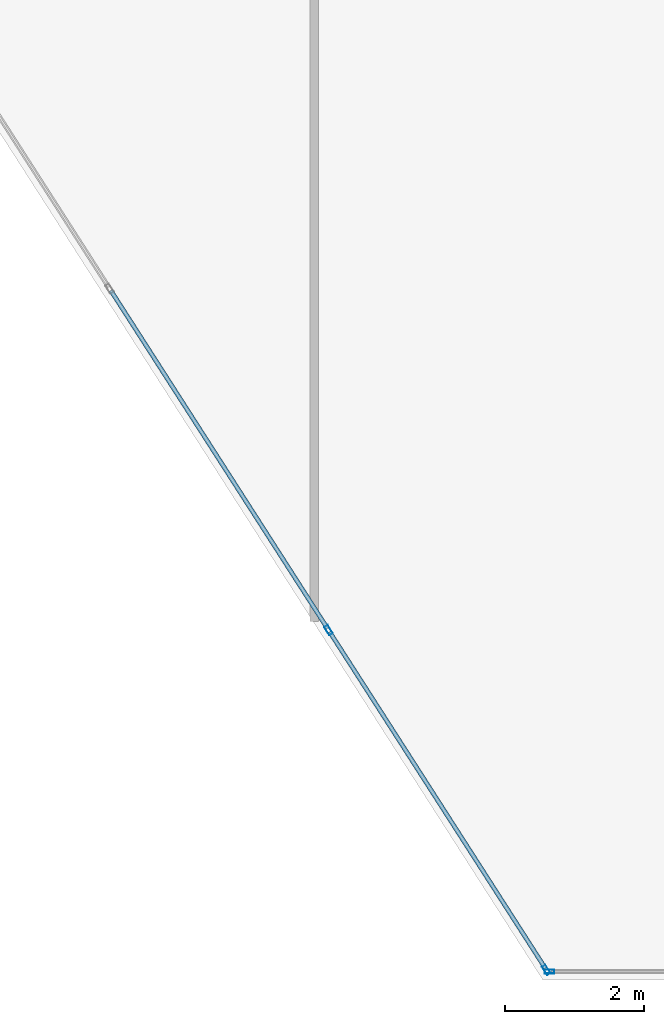
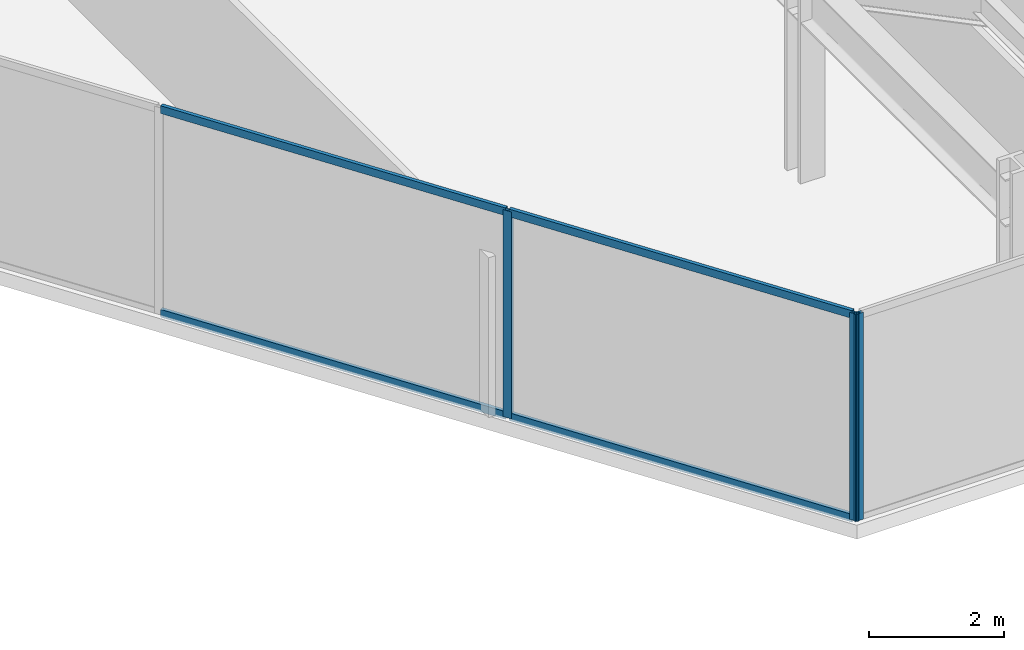
# One storey, part 15 of 26: 7 members, 2 elements without a shape of their own.
"""IFC4 building model written with IfcOpenShell, lengths in metres."""

import ifcopenshell
import ifcopenshell.guid

model = None  # the IFC model being written
_history = None  # IfcOwnerHistory: only IFC2X3 demands one
_inside = {}  # id of a spatial element -> (the spatial element, [elements in it])
_under = {}  # id of a project, library or spatial element -> (it, [spatial elements below it])
_declared = {}  # id of a project -> (the project, [libraries it declares])
_typed = {}  # id of a type object -> (the type object, [elements of that type])
_made_of = {}  # id of a material, layer set ... -> (it, [elements and type objects made of it])


def new_model(schema):
    """Start an empty IFC model of exactly this schema.

    Asked for "IFC4X3", IfcOpenShell would pick the latest addendum, in which some entities
    have other attributes; the version numbers below select the first issue.
    IFC2X3 requires an IfcOwnerHistory on every rooted entity: one is made here for all.
    """
    global model, _history
    if schema == "IFC4X3":
        model = ifcopenshell.file(schema_version=(4, 3, 0, 0))
    else:
        model = ifcopenshell.file(schema=schema)
    _inside.clear()
    _under.clear()
    _declared.clear()
    _typed.clear()
    _made_of.clear()
    _history = None
    if model.schema == "IFC2X3":
        org = make("IfcOrganization", Name="unknown")
        user = make(
            "IfcPersonAndOrganization",
            ThePerson=make("IfcPerson", FamilyName="unknown"),
            TheOrganization=org,
        )
        app = make(
            "IfcApplication",
            ApplicationDeveloper=org,
            Version="unknown",
            ApplicationFullName="unknown",
            ApplicationIdentifier="unknown",
        )
        _history = make(
            "IfcOwnerHistory",
            OwningUser=user,
            OwningApplication=app,
            ChangeAction="ADDED",
            CreationDate=0,
        )
    return model


def make(cls, **values):
    """One entity of the class cls with the attributes given. An attribute that is None is left unset."""
    return model.create_entity(
        cls, **{name: value for name, value in values.items() if value is not None}
    )


def rooted(cls, **values):
    """An entity with a GlobalId (a new one), such as an element, a storey or a relation."""
    return make(cls, GlobalId=ifcopenshell.guid.new(), OwnerHistory=_history, **values)


def si_unit(unit_type, name, prefix=None):
    """IfcSIUnit, for example si_unit("LENGTHUNIT", "METRE", prefix="MILLI")."""
    return make("IfcSIUnit", UnitType=unit_type, Prefix=prefix, Name=name)


def assignment(units):
    """IfcUnitAssignment: the units of a project."""
    return None if units is None else make("IfcUnitAssignment", Units=units)


def point(xyz):
    """IfcCartesianPoint."""
    return None if xyz is None else make("IfcCartesianPoint", Coordinates=xyz)


def direction(xyz):
    """IfcDirection."""
    return None if xyz is None else make("IfcDirection", DirectionRatios=xyz)


def frame(location, z_axis=None, x_axis=None):
    """IfcAxis2Placement3D, a coordinate frame: its origin and axes. An axis left out is left unset."""
    return make(
        "IfcAxis2Placement3D",
        Location=point(location),
        Axis=direction(z_axis),
        RefDirection=direction(x_axis),
    )


def frame_2d(location, x_axis=None):
    """IfcAxis2Placement2D, a coordinate frame in the plane: its origin and x axis."""
    return make(
        "IfcAxis2Placement2D", Location=point(location), RefDirection=direction(x_axis)
    )


def origin():
    """The frame at (0, 0, 0) with its axes left unset."""
    return frame((0.0, 0.0, 0.0))


def origin_2d():
    """The frame at (0, 0) in the plane with its x axis left unset."""
    return frame_2d((0.0, 0.0))


def place(relative_to, where):
    """IfcLocalPlacement: puts the frame where relative to a parent placement (None: the world)."""
    return make(
        "IfcLocalPlacement", PlacementRelTo=relative_to, RelativePlacement=where
    )


def context(
    kind, dimensions, precision=None, world=None, true_north=None, identifier=None
):
    """IfcGeometricRepresentationContext, for example the 3D "Model" context."""
    return make(
        "IfcGeometricRepresentationContext",
        ContextIdentifier=identifier,
        ContextType=kind,
        CoordinateSpaceDimension=dimensions,
        Precision=precision,
        WorldCoordinateSystem=world,
        TrueNorth=true_north,
    )


def subcontext(parent, identifier, kind, view, scale=None):
    """IfcGeometricRepresentationSubContext, for example "Body" below "Model"."""
    return make(
        "IfcGeometricRepresentationSubContext",
        ContextIdentifier=identifier,
        ContextType=kind,
        ParentContext=parent,
        TargetScale=scale,
        TargetView=view,
    )


def project(units=None, contexts=None):
    """IfcProject with its units and contexts."""
    return rooted(
        "IfcProject",
        Name="project",
        RepresentationContexts=contexts,
        UnitsInContext=assignment(units),
    )


def spatial(cls, under=None, at=None, **own):
    """A site, building, storey or space (cls), placed at a placement, below another one or the project."""
    s = rooted(cls, ObjectPlacement=at, **own)
    if under is not None:
        _under.setdefault(under.id(), (under, []))[1].append(s)
    return s


def profile(cls, at=None, kind="AREA", **sizes):
    """A parametric profile (cls). Its sizes go by their IFC names, for example OverallWidth=200.0."""
    return make(cls, ProfileType=kind, Position=at, **sizes)


def hollow_rectangle(**sizes):
    """IfcRectangleHollowProfileDef."""
    return profile("IfcRectangleHollowProfileDef", **sizes)


def extrude(swept, where, along, depth):
    """IfcExtrudedAreaSolid: the profile swept, set in the frame where, extruded along a direction by depth."""
    return make(
        "IfcExtrudedAreaSolid",
        SweptArea=swept,
        Position=where,
        ExtrudedDirection=direction(along),
        Depth=depth,
    )


def shape(context_of_items, identifier, shape_type, items):
    """IfcShapeRepresentation: the items that make up one representation, for example the "Body"."""
    return make(
        "IfcShapeRepresentation",
        ContextOfItems=context_of_items,
        RepresentationIdentifier=identifier,
        RepresentationType=shape_type,
        Items=items,
    )


def material(Name=None, Category=None):
    """IfcMaterial."""
    return make("IfcMaterial", Name=Name, Category=Category)


def layer(
    of_material, thickness, ventilated=None, Name=None, Category=None, Priority=None
):
    """IfcMaterialLayer: one layer of a wall or slab, of a material (None: an air gap)."""
    return make(
        "IfcMaterialLayer",
        Material=of_material,
        LayerThickness=thickness,
        IsVentilated=ventilated,
        Name=Name,
        Category=Category,
        Priority=Priority,
    )


def layer_set(layers, Name=None):
    """IfcMaterialLayerSet."""
    return make("IfcMaterialLayerSet", MaterialLayers=layers, LayerSetName=Name)


def material_profile(
    of_material, cross_section, Name=None, Category=None, Priority=None
):
    """IfcMaterialProfile: a cross section and its material."""
    return make(
        "IfcMaterialProfile",
        Name=Name,
        Material=of_material,
        Profile=cross_section,
        Priority=Priority,
        Category=Category,
    )


def profile_set(profiles, Name=None, composite=None):
    """IfcMaterialProfileSet."""
    return make(
        "IfcMaterialProfileSet",
        Name=Name,
        MaterialProfiles=profiles,
        CompositeProfile=composite,
    )


def made_of(thing, what):
    """Note that an element or type object is made of a material, layer set ...; save() writes the relation."""
    if what is not None:
        _made_of.setdefault(what.id(), (what, []))[1].append(thing)
    return thing


def type_object(cls, material=None, **own):
    """A type object (cls), such as IfcWallType, which elements share."""
    return made_of(rooted(cls, **own), material)


def element(
    cls,
    number,
    at=None,
    inside=None,
    cuts=None,
    type_object=None,
    material=None,
    context=None,
    identifier="Body",
    shape_type=None,
    held_by="IfcProductDefinitionShape",
    body=None,
    shapes=None,
    **own,
):
    """One element of the class cls, such as IfcWall. Its Tag is "e" and its number.

    at: its placement. inside: the storey or other place that contains it. cuts: it is an
    opening in that element (IfcRelVoidsElement). A single representation is given by context,
    identifier, shape_type and body (its items); several are given by shapes. held_by: the class
    of the entity that holds the representations. save() writes the other relations.
    """
    e = rooted(cls, Tag="e%d" % number, ObjectPlacement=at, **own)
    if body is not None:
        shapes = [shape(context, identifier, shape_type, body)]
    if shapes is not None:
        e.Representation = make(held_by, Representations=shapes)
    if inside is not None:
        _inside.setdefault(inside.id(), (inside, []))[1].append(e)
    if cuts is not None:
        rooted(
            "IfcRelVoidsElement", RelatingBuildingElement=cuts, RelatedOpeningElement=e
        )
    if type_object is not None:
        _typed.setdefault(type_object.id(), (type_object, []))[1].append(e)
    return made_of(e, material)


def aggregate(whole, parts):
    """IfcRelAggregates: a whole, such as a stair, and the parts it consists of."""
    return rooted("IfcRelAggregates", RelatingObject=whole, RelatedObjects=parts)


def save(model, path):
    """Write the relations noted so far, then the file.

    IfcRelAggregates (storeys below a building ...), IfcRelContainedInSpatialStructure (elements
    in a storey), IfcRelDefinesByType, IfcRelAssociatesMaterial and IfcRelDeclares: one each for
    every whole, place, type object, material and project.
    """
    for whole, parts in _under.values():
        aggregate(whole, parts)
    for where, things in _inside.values():
        rooted(
            "IfcRelContainedInSpatialStructure",
            RelatedElements=things,
            RelatingStructure=where,
        )
    for kind, things in _typed.values():
        rooted("IfcRelDefinesByType", RelatedObjects=things, RelatingType=kind)
    for what, things in _made_of.values():
        rooted("IfcRelAssociatesMaterial", RelatedObjects=things, RelatingMaterial=what)
    for by, libraries in _declared.values():
        rooted("IfcRelDeclares", RelatingContext=by, RelatedDefinitions=libraries)
    model.write(path)


model = new_model("IFC4")

# Units and contexts
model_context = context("Model", 3, precision=1e-05, world=origin(), true_north=direction((0.0, 1.0)))
body_context = subcontext(model_context, "Body", "Model", "MODEL_VIEW")
ifc_project = project(units=[si_unit("LENGTHUNIT", "METRE"), si_unit("AREAUNIT", "SQUARE_METRE"), si_unit("VOLUMEUNIT", "CUBIC_METRE"), si_unit("PLANEANGLEUNIT", "RADIAN"), si_unit("MASSUNIT", "GRAM", prefix="KILO")], contexts=[model_context])

# Site, building, storey
site_placement = place(None, origin())
site = spatial("IfcSite", under=ifc_project, at=site_placement, CompositionType="ELEMENT")
building_placement = place(site_placement, origin())
building = spatial("IfcBuilding", under=site, at=building_placement, Name="Kravanh Interchange Tower", CompositionType="ELEMENT")
storey_placement = place(building_placement, frame((0.0, 0.0, 100.0)))
storey = spatial("IfcBuildingStorey", under=building, at=storey_placement, Name="L23", CompositionType="ELEMENT", Elevation=100.0)

# Curtain wall, member
ifc_material_1 = material(Name="Anodised Bronze Aluminium", Category="aluminium")
ifc_layer = layer(ifc_material_1, 0.179931640625)
ifc_layer_set = layer_set([ifc_layer], Name="Unitised Curtain Wall System CW-Z2 Mid Office")
curtain_wall_type = type_object("IfcCurtainWallType", Name="Unitised Curtain Wall System CW-Z2 Mid Office", PredefinedType="NOTDEFINED", material=ifc_layer_set)
curtain_wall_1_placement = place(storey_placement, origin())
curtain_wall_1 = element("IfcCurtainWall", 1, at=curtain_wall_1_placement, inside=storey, type_object=curtain_wall_type, Name="L23 Unitised Curtain Wall CW-L23-03", PredefinedType="NOTDEFINED")
ifc_material_2 = material(Name="Anodised Bronze Aluminium", Category="aluminium")
ifc_material_profile_1 = material_profile(ifc_material_2, hollow_rectangle(XDim=0.06005859375, YDim=0.139892578125, WallThickness=0.00390625, at=origin_2d()), Name="ALU60X140X4")
ifc_profile_set_1 = profile_set([ifc_material_profile_1], Name="Anodised Bronze Aluminium")
member_type_1 = type_object("IfcMemberType", Name="Curtain Wall Mullion ALU60X140X4 Bronze", PredefinedType="MULLION", material=ifc_profile_set_1)
member_1_placement = place(storey_placement, frame((52.195556640625, 6.320068359375, 0.0), z_axis=(0.0, 0.0, 1.0), x_axis=(0.0, -1.0, 0.0)))
member_1 = element("IfcMember", 2, at=member_1_placement, type_object=member_type_1, Name="CW-Z2 mullion 3", PredefinedType="MULLION", context=body_context, shape_type="SweptSolid", body=[
    extrude(hollow_rectangle(XDim=0.06005859375, YDim=0.139892578125, WallThickness=0.00390625, at=origin_2d()), origin(), (0.0, 0.0, 1.0), 3.75),
])
aggregate(curtain_wall_1, [member_1])

# Curtain wall, members
curtain_wall_2_placement = place(storey_placement, origin())
curtain_wall_2 = element("IfcCurtainWall", 3, at=curtain_wall_2_placement, inside=storey, type_object=curtain_wall_type, Name="L23 Unitised Curtain Wall CW-L23-04", PredefinedType="NOTDEFINED")
member_2_placement = place(storey_placement, frame((52.1494140625, 6.34521484375, 0.0), z_axis=(0.0, 0.0, 1.0), x_axis=(-0.841879939476, -0.539664865919, 0.0)))
member_2 = element("IfcMember", 4, at=member_2_placement, type_object=member_type_1, Name="CW-Z2 mullion 1", PredefinedType="MULLION", context=body_context, shape_type="SweptSolid", body=[
    extrude(hollow_rectangle(XDim=0.06005859375, YDim=0.139892578125, WallThickness=0.00390625, at=origin_2d()), origin(), (0.0, 0.0, 1.0), 3.75),
])
member_3_placement = place(storey_placement, frame((49.024169921875, 11.220703125, 0.0), z_axis=(0.0, 0.0, 1.0), x_axis=(-0.841879939476, -0.539664865919, 0.0)))
member_3 = element("IfcMember", 5, at=member_3_placement, type_object=member_type_1, Name="CW-Z2 mullion 2", PredefinedType="MULLION", context=body_context, shape_type="SweptSolid", body=[
    extrude(hollow_rectangle(XDim=0.06005859375, YDim=0.139892578125, WallThickness=0.00390625, at=origin_2d()), origin(), (0.0, 0.0, 1.0), 3.75),
])
ifc_material_3 = material(Name="Anodised Bronze Aluminium", Category="aluminium")
ifc_material_profile_2 = material_profile(ifc_material_3, hollow_rectangle(XDim=0.06005859375, YDim=0.139892578125, WallThickness=0.00390625, at=origin_2d()), Name="ALU60X140X4")
ifc_profile_set_2 = profile_set([ifc_material_profile_2], Name="Anodised Bronze Aluminium")
member_type_2 = type_object("IfcMemberType", Name="Curtain Wall Transom ALU60X140X4 Bronze", PredefinedType="USERDEFINED", material=ifc_profile_set_2)
member_4_placement = place(storey_placement, frame((52.13330078125, 6.37060546875, 0.030029296875), z_axis=(-0.539697855812, 0.841858791266, 0.0), x_axis=(-0.841858791266, -0.539697855812, 0.0)))
member_4 = element("IfcMember", 6, at=member_4_placement, type_object=member_type_2, Name="CW-Z2 transom 1.1", ObjectType="TRANSOM", PredefinedType="USERDEFINED", context=body_context, shape_type="SweptSolid", body=[
    extrude(hollow_rectangle(XDim=0.06005859375, YDim=0.139892578125, WallThickness=0.00390625, at=origin_2d()), origin(), (0.0, 0.0, 1.0), 5.73095703125),
])
member_5_placement = place(storey_placement, frame((52.13330078125, 6.37060546875, 3.719970703125), z_axis=(-0.539697855812, 0.841858791266, 0.0), x_axis=(-0.841858791266, -0.539697855812, 0.0)))
member_5 = element("IfcMember", 7, at=member_5_placement, type_object=member_type_2, Name="CW-Z2 transom 1.2", ObjectType="TRANSOM", PredefinedType="USERDEFINED", context=body_context, shape_type="SweptSolid", body=[
    extrude(hollow_rectangle(XDim=0.06005859375, YDim=0.139892578125, WallThickness=0.00390625, at=origin_2d()), origin(), (0.0, 0.0, 1.0), 5.73095703125),
])
member_6_placement = place(storey_placement, frame((49.008056640625, 11.245849609375, 0.030029296875), z_axis=(-0.539677666788, 0.84187173368, 0.0), x_axis=(-0.84187173368, -0.539677666788, 0.0)))
member_6 = element("IfcMember", 8, at=member_6_placement, type_object=member_type_2, Name="CW-Z2 transom 2.1", ObjectType="TRANSOM", PredefinedType="USERDEFINED", context=body_context, shape_type="SweptSolid", body=[
    extrude(hollow_rectangle(XDim=0.06005859375, YDim=0.139892578125, WallThickness=0.00390625, at=origin_2d()), origin(), (0.0, 0.0, 1.0), 5.760986328125),
])
member_7_placement = place(storey_placement, frame((49.008056640625, 11.245849609375, 3.719970703125), z_axis=(-0.539677666788, 0.84187173368, 0.0), x_axis=(-0.84187173368, -0.539677666788, 0.0)))
member_7 = element("IfcMember", 9, at=member_7_placement, type_object=member_type_2, Name="CW-Z2 transom 2.2", ObjectType="TRANSOM", PredefinedType="USERDEFINED", context=body_context, shape_type="SweptSolid", body=[
    extrude(hollow_rectangle(XDim=0.06005859375, YDim=0.139892578125, WallThickness=0.00390625, at=origin_2d()), origin(), (0.0, 0.0, 1.0), 5.760986328125),
])
aggregate(curtain_wall_2, [member_2, member_3, member_4, member_5, member_6, member_7])

save(model, "model.ifc")
